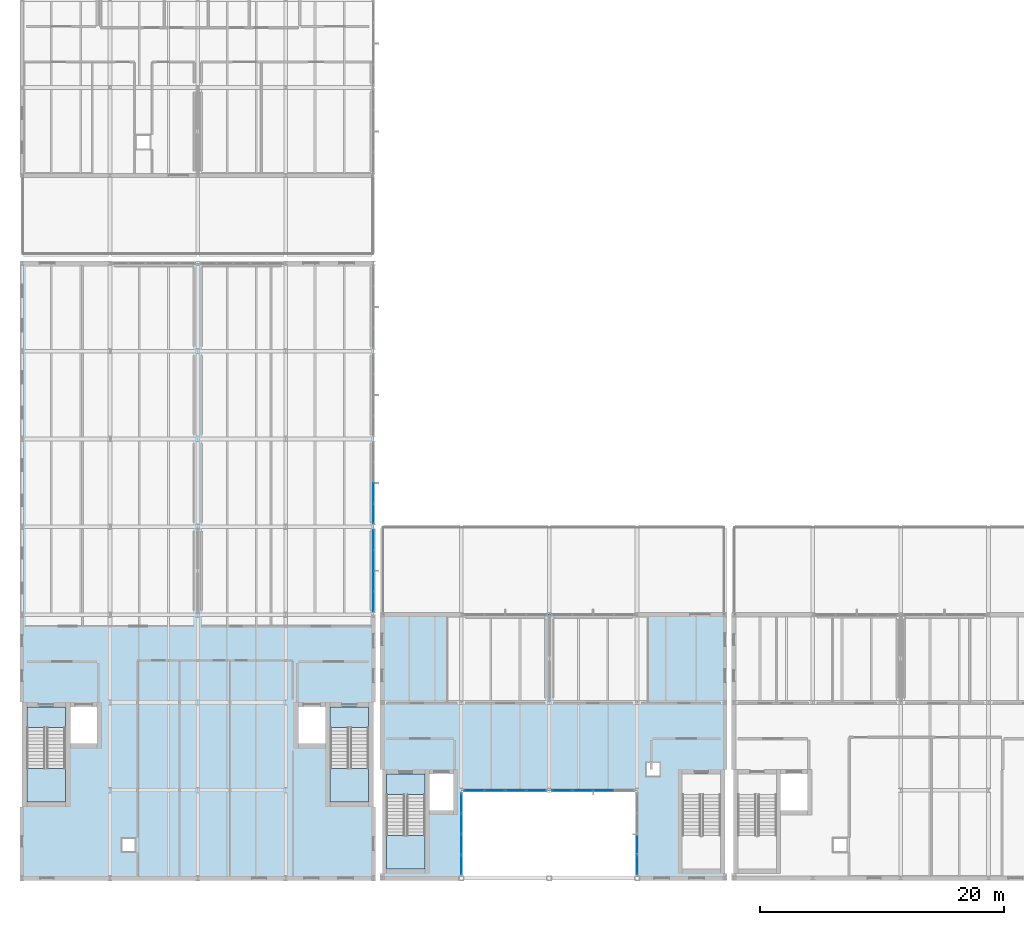
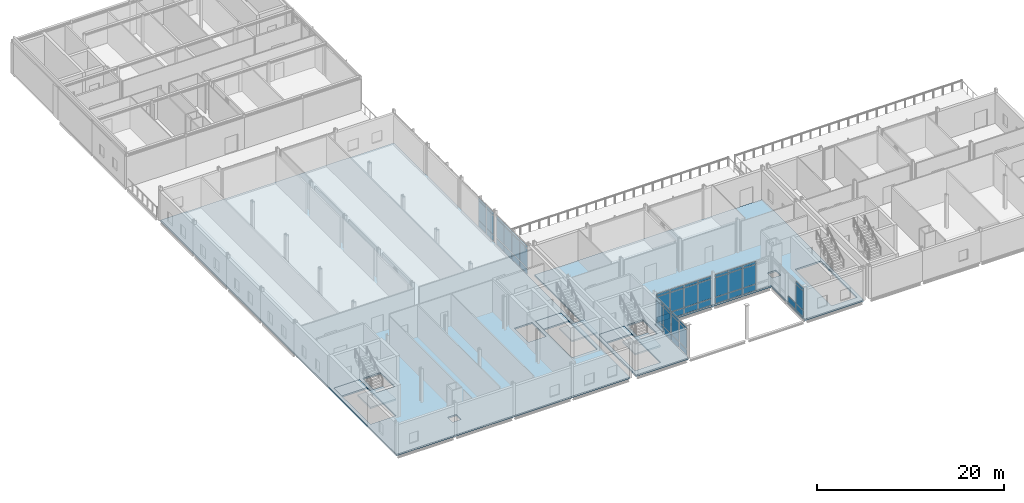
# One storey, part 23 of 53: 55 plates, 8 slabs, 9 elements without a shape of their own.
"""IFC4 building model written with IfcOpenShell, lengths in metres."""

from ifc_helpers import new_model, si_unit, direction, frame, origin, origin_2d, place, context, subcontext, project, spatial, polyline, rectangle, outline, extrude, material, layer, layer_set, type_object, element, aggregate, save


model = new_model("IFC4")

# Units and contexts
model_context = context("Model", 3, precision=1e-05, world=origin(), true_north=direction((0.0, 1.0)))
body_context = subcontext(model_context, "Body", "Model", "MODEL_VIEW")
ifc_project = project(units=[si_unit("LENGTHUNIT", "METRE"), si_unit("AREAUNIT", "SQUARE_METRE"), si_unit("VOLUMEUNIT", "CUBIC_METRE"), si_unit("PLANEANGLEUNIT", "RADIAN"), si_unit("MASSUNIT", "GRAM", prefix="KILO")], contexts=[model_context])

# Site, building, storey
site_placement = place(None, origin())
site = spatial("IfcSite", under=ifc_project, at=site_placement, CompositionType="ELEMENT")
building_placement = place(site_placement, origin())
building = spatial("IfcBuilding", under=site, at=building_placement, Name="Zarrinpeak Specialist Clinic", CompositionType="ELEMENT")
storey_placement = place(building_placement, frame((0.0, 0.0, 14.0)))
storey = spatial("IfcBuildingStorey", under=building, at=storey_placement, Name="L03", CompositionType="ELEMENT", Elevation=14.0)

# Curtain wall, plates
ifc_material_1 = material(Name="Anodised Aluminium Alloy 6063-T6", Category="aluminium")
ifc_layer_1 = layer(ifc_material_1, 0.179931640625)
ifc_layer_set_1 = layer_set([ifc_layer_1], Name="Anodised Aluminium Alloy 6063-T6")
curtain_wall_type_1 = type_object("IfcCurtainWallType", Name="CW-COURT", PredefinedType="NOTDEFINED", material=ifc_layer_set_1)
curtain_wall_1_placement = place(storey_placement, origin())
curtain_wall_1 = element("IfcCurtainWall", 1, at=curtain_wall_1_placement, inside=storey, type_object=curtain_wall_type_1, Name="L03 V1 Unitised Curtain Wall CW-L03-V1-021", PredefinedType="NOTDEFINED")
ifc_material_2 = material(Name="Double Low-E Insulated Glazing", Category="glass")
ifc_layer_2 = layer(ifc_material_2, 0.028076171875)
ifc_layer_set_2 = layer_set([ifc_layer_2], Name="Double Low-E Insulated Glazing")
plate_type = type_object("IfcPlateType", Name="CWP-GLZ28", PredefinedType="CURTAIN_PANEL", material=ifc_layer_set_2)
plate_1_placement = place(storey_placement, frame((28.800048828125, 22.6875, 0.074951171875), z_axis=(0.0, 0.0, 1.0), x_axis=(0.0, 1.0, 0.0)))
plate_1 = element("IfcPlate", 2, at=plate_1_placement, type_object=plate_type, Name="CW-01 panel 1.1", PredefinedType="CURTAIN_PANEL", context=body_context, shape_type="SweptSolid", body=[
    extrude(rectangle(XDim=1.574951171875, YDim=0.028076171875, at=origin_2d()), origin(), (0.0, 0.0, 1.0), 0.78759765625),
])
plate_2_placement = place(storey_placement, frame((28.800048828125, 22.6875, 0.9375), z_axis=(0.0, 0.0, 1.0), x_axis=(0.0, 1.0, 0.0)))
plate_2 = element("IfcPlate", 3, at=plate_2_placement, type_object=plate_type, Name="CW-01 panel 1.2", PredefinedType="CURTAIN_PANEL", context=body_context, shape_type="SweptSolid", body=[
    extrude(rectangle(XDim=1.574951171875, YDim=0.028076171875, at=origin_2d()), origin(), (0.0, 0.0, 1.0), 2.4599609375),
])
plate_3_placement = place(storey_placement, frame((28.800048828125, 22.6875, 3.47265625), z_axis=(0.0, 0.0, 1.0), x_axis=(0.0, 1.0, 0.0)))
plate_3 = element("IfcPlate", 4, at=plate_3_placement, type_object=plate_type, Name="CW-01 panel 1.3", PredefinedType="CURTAIN_PANEL", context=body_context, shape_type="SweptSolid", body=[
    extrude(rectangle(XDim=1.574951171875, YDim=0.028076171875, at=origin_2d()), origin(), (0.0, 0.0, 1.0), 0.33740234375),
])
plate_4_placement = place(storey_placement, frame((28.800048828125, 24.356201171875, 0.074951171875), z_axis=(0.0, 0.0, 1.0), x_axis=(0.0, 1.0, 0.0)))
plate_4 = element("IfcPlate", 5, at=plate_4_placement, type_object=plate_type, Name="CW-01 panel 2.1", PredefinedType="CURTAIN_PANEL", context=body_context, shape_type="SweptSolid", body=[
    extrude(rectangle(XDim=1.612548828125, YDim=0.028076171875, at=origin_2d()), origin(), (0.0, 0.0, 1.0), 0.78759765625),
])
plate_5_placement = place(storey_placement, frame((28.800048828125, 24.356201171875, 0.9375), z_axis=(0.0, 0.0, 1.0), x_axis=(0.0, 1.0, 0.0)))
plate_5 = element("IfcPlate", 6, at=plate_5_placement, type_object=plate_type, Name="CW-01 panel 2.2", PredefinedType="CURTAIN_PANEL", context=body_context, shape_type="SweptSolid", body=[
    extrude(rectangle(XDim=1.612548828125, YDim=0.028076171875, at=origin_2d()), origin(), (0.0, 0.0, 1.0), 2.4599609375),
])
plate_6_placement = place(storey_placement, frame((28.800048828125, 24.356201171875, 3.47265625), z_axis=(0.0, 0.0, 1.0), x_axis=(0.0, 1.0, 0.0)))
plate_6 = element("IfcPlate", 7, at=plate_6_placement, type_object=plate_type, Name="CW-01 panel 2.3", PredefinedType="CURTAIN_PANEL", context=body_context, shape_type="SweptSolid", body=[
    extrude(rectangle(XDim=1.612548828125, YDim=0.028076171875, at=origin_2d()), origin(), (0.0, 0.0, 1.0), 0.33740234375),
])
plate_7_placement = place(storey_placement, frame((28.800048828125, 26.043701171875, 0.074951171875), z_axis=(0.0, 0.0, 1.0), x_axis=(0.0, 1.0, 0.0)))
plate_7 = element("IfcPlate", 8, at=plate_7_placement, type_object=plate_type, Name="CW-01 panel 3.1", PredefinedType="CURTAIN_PANEL", context=body_context, shape_type="SweptSolid", body=[
    extrude(rectangle(XDim=1.612548828125, YDim=0.028076171875, at=origin_2d()), origin(), (0.0, 0.0, 1.0), 0.78759765625),
])
plate_8_placement = place(storey_placement, frame((28.800048828125, 26.043701171875, 0.9375), z_axis=(0.0, 0.0, 1.0), x_axis=(0.0, 1.0, 0.0)))
plate_8 = element("IfcPlate", 9, at=plate_8_placement, type_object=plate_type, Name="CW-01 panel 3.2", PredefinedType="CURTAIN_PANEL", context=body_context, shape_type="SweptSolid", body=[
    extrude(rectangle(XDim=1.612548828125, YDim=0.028076171875, at=origin_2d()), origin(), (0.0, 0.0, 1.0), 2.4599609375),
])
plate_9_placement = place(storey_placement, frame((28.800048828125, 26.043701171875, 3.47265625), z_axis=(0.0, 0.0, 1.0), x_axis=(0.0, 1.0, 0.0)))
plate_9 = element("IfcPlate", 10, at=plate_9_placement, type_object=plate_type, Name="CW-01 panel 3.3", PredefinedType="CURTAIN_PANEL", context=body_context, shape_type="SweptSolid", body=[
    extrude(rectangle(XDim=1.612548828125, YDim=0.028076171875, at=origin_2d()), origin(), (0.0, 0.0, 1.0), 0.33740234375),
])
plate_10_placement = place(storey_placement, frame((28.800048828125, 27.71240234375, 0.074951171875), z_axis=(0.0, 0.0, 1.0), x_axis=(0.0, 1.0, 0.0)))
plate_10 = element("IfcPlate", 11, at=plate_10_placement, type_object=plate_type, Name="CW-01 panel 4.1", PredefinedType="CURTAIN_PANEL", context=body_context, shape_type="SweptSolid", body=[
    extrude(rectangle(XDim=1.574951171875, YDim=0.028076171875, at=origin_2d()), origin(), (0.0, 0.0, 1.0), 0.78759765625),
])
plate_11_placement = place(storey_placement, frame((28.800048828125, 27.71240234375, 0.9375), z_axis=(0.0, 0.0, 1.0), x_axis=(0.0, 1.0, 0.0)))
plate_11 = element("IfcPlate", 12, at=plate_11_placement, type_object=plate_type, Name="CW-01 panel 4.2", PredefinedType="CURTAIN_PANEL", context=body_context, shape_type="SweptSolid", body=[
    extrude(rectangle(XDim=1.574951171875, YDim=0.028076171875, at=origin_2d()), origin(), (0.0, 0.0, 1.0), 2.4599609375),
])
plate_12_placement = place(storey_placement, frame((28.800048828125, 27.71240234375, 3.47265625), z_axis=(0.0, 0.0, 1.0), x_axis=(0.0, 1.0, 0.0)))
plate_12 = element("IfcPlate", 13, at=plate_12_placement, type_object=plate_type, Name="CW-01 panel 4.3", PredefinedType="CURTAIN_PANEL", context=body_context, shape_type="SweptSolid", body=[
    extrude(rectangle(XDim=1.574951171875, YDim=0.028076171875, at=origin_2d()), origin(), (0.0, 0.0, 1.0), 0.33740234375),
])
aggregate(curtain_wall_1, [plate_1, plate_2, plate_3, plate_4, plate_5, plate_6, plate_7, plate_8, plate_9, plate_10, plate_11, plate_12])

curtain_wall_2_placement = place(storey_placement, origin())
curtain_wall_2 = element("IfcCurtainWall", 14, at=curtain_wall_2_placement, inside=storey, type_object=curtain_wall_type_1, Name="L03 V1 Unitised Curtain Wall CW-L03-V1-022", PredefinedType="NOTDEFINED")
plate_13_placement = place(storey_placement, frame((28.800048828125, 29.887451171875, 0.074951171875), z_axis=(0.0, 0.0, 1.0), x_axis=(0.0, 1.0, 0.0)))
plate_13 = element("IfcPlate", 15, at=plate_13_placement, type_object=plate_type, Name="CW-01 panel 1.1", PredefinedType="CURTAIN_PANEL", context=body_context, shape_type="SweptSolid", body=[
    extrude(rectangle(XDim=1.574951171875, YDim=0.028076171875, at=origin_2d()), origin(), (0.0, 0.0, 1.0), 0.78759765625),
])
plate_14_placement = place(storey_placement, frame((28.800048828125, 29.887451171875, 0.9375), z_axis=(0.0, 0.0, 1.0), x_axis=(0.0, 1.0, 0.0)))
plate_14 = element("IfcPlate", 16, at=plate_14_placement, type_object=plate_type, Name="CW-01 panel 1.2", PredefinedType="CURTAIN_PANEL", context=body_context, shape_type="SweptSolid", body=[
    extrude(rectangle(XDim=1.574951171875, YDim=0.028076171875, at=origin_2d()), origin(), (0.0, 0.0, 1.0), 2.4599609375),
])
plate_15_placement = place(storey_placement, frame((28.800048828125, 29.887451171875, 3.47265625), z_axis=(0.0, 0.0, 1.0), x_axis=(0.0, 1.0, 0.0)))
plate_15 = element("IfcPlate", 17, at=plate_15_placement, type_object=plate_type, Name="CW-01 panel 1.3", PredefinedType="CURTAIN_PANEL", context=body_context, shape_type="SweptSolid", body=[
    extrude(rectangle(XDim=1.574951171875, YDim=0.028076171875, at=origin_2d()), origin(), (0.0, 0.0, 1.0), 0.33740234375),
])
plate_16_placement = place(storey_placement, frame((28.800048828125, 31.55615234375, 0.074951171875), z_axis=(0.0, 0.0, 1.0), x_axis=(0.0, 1.0, 0.0)))
plate_16 = element("IfcPlate", 18, at=plate_16_placement, type_object=plate_type, Name="CW-01 panel 2.1", PredefinedType="CURTAIN_PANEL", context=body_context, shape_type="SweptSolid", body=[
    extrude(rectangle(XDim=1.612548828125, YDim=0.028076171875, at=origin_2d()), origin(), (0.0, 0.0, 1.0), 0.78759765625),
])
plate_17_placement = place(storey_placement, frame((28.800048828125, 31.55615234375, 0.9375), z_axis=(0.0, 0.0, 1.0), x_axis=(0.0, 1.0, 0.0)))
plate_17 = element("IfcPlate", 19, at=plate_17_placement, type_object=plate_type, Name="CW-01 panel 2.2", PredefinedType="CURTAIN_PANEL", context=body_context, shape_type="SweptSolid", body=[
    extrude(rectangle(XDim=1.612548828125, YDim=0.028076171875, at=origin_2d()), origin(), (0.0, 0.0, 1.0), 2.4599609375),
])
plate_18_placement = place(storey_placement, frame((28.800048828125, 31.55615234375, 3.47265625), z_axis=(0.0, 0.0, 1.0), x_axis=(0.0, 1.0, 0.0)))
plate_18 = element("IfcPlate", 20, at=plate_18_placement, type_object=plate_type, Name="CW-01 panel 2.3", PredefinedType="CURTAIN_PANEL", context=body_context, shape_type="SweptSolid", body=[
    extrude(rectangle(XDim=1.612548828125, YDim=0.028076171875, at=origin_2d()), origin(), (0.0, 0.0, 1.0), 0.33740234375),
])
aggregate(curtain_wall_2, [plate_13, plate_14, plate_15, plate_16, plate_17, plate_18])

ifc_layer_3 = layer(ifc_material_1, 0.18994140625)
ifc_layer_set_3 = layer_set([ifc_layer_3], Name="Anodised Aluminium Alloy 6063-T6")
curtain_wall_type_2 = type_object("IfcCurtainWallType", Name="CW-LOGGIA", PredefinedType="NOTDEFINED", material=ifc_layer_set_3)
curtain_wall_3_placement = place(storey_placement, origin())
curtain_wall_3 = element("IfcCurtainWall", 21, at=curtain_wall_3_placement, inside=storey, type_object=curtain_wall_type_2, Name="L03 V2 Unitised Curtain Wall CW-L03-V2-057", PredefinedType="NOTDEFINED")
plate_19_placement = place(storey_placement, frame((37.0537109375, 7.199951171875, 0.08984375), z_axis=(0.0, 0.0, 1.0), x_axis=(1.0, 0.0, 0.0)))
plate_19 = element("IfcPlate", 22, at=plate_19_placement, type_object=plate_type, Name="CW-04 panel 1.1", PredefinedType="CURTAIN_PANEL", context=body_context, shape_type="SweptSolid", body=[
    extrude(rectangle(XDim=1.577392578125, YDim=0.028076171875, at=origin_2d()), origin(), (0.0, 0.0, 1.0), 0.764892578125),
])
plate_20_placement = place(storey_placement, frame((37.0537109375, 7.199951171875, 0.94482421875), z_axis=(0.0, 0.0, 1.0), x_axis=(1.0, 0.0, 0.0)))
plate_20 = element("IfcPlate", 23, at=plate_20_placement, type_object=plate_type, Name="CW-04 panel 1.2", PredefinedType="CURTAIN_PANEL", context=body_context, shape_type="SweptSolid", body=[
    extrude(rectangle(XDim=1.577392578125, YDim=0.028076171875, at=origin_2d()), origin(), (0.0, 0.0, 1.0), 2.4951171875),
])
plate_21_placement = place(storey_placement, frame((37.0537109375, 7.199951171875, 3.530029296875), z_axis=(0.0, 0.0, 1.0), x_axis=(1.0, 0.0, 0.0)))
plate_21 = element("IfcPlate", 24, at=plate_21_placement, type_object=plate_type, Name="CW-04 panel 1.3", PredefinedType="CURTAIN_PANEL", context=body_context, shape_type="SweptSolid", body=[
    extrude(rectangle(XDim=1.577392578125, YDim=0.028076171875, at=origin_2d()), origin(), (0.0, 0.0, 1.0), 0.31494140625),
])
plate_22_placement = place(storey_placement, frame((38.74365234375, 7.199951171875, 0.08984375), z_axis=(0.0, 0.0, 1.0), x_axis=(1.0, 0.0, 0.0)))
plate_22 = element("IfcPlate", 25, at=plate_22_placement, type_object=plate_type, Name="CW-04 panel 2.1", PredefinedType="CURTAIN_PANEL", context=body_context, shape_type="SweptSolid", body=[
    extrude(rectangle(XDim=1.62255859375, YDim=0.028076171875, at=origin_2d()), origin(), (0.0, 0.0, 1.0), 0.764892578125),
])
plate_23_placement = place(storey_placement, frame((38.74365234375, 7.199951171875, 0.94482421875), z_axis=(0.0, 0.0, 1.0), x_axis=(1.0, 0.0, 0.0)))
plate_23 = element("IfcPlate", 26, at=plate_23_placement, type_object=plate_type, Name="CW-04 panel 2.2", PredefinedType="CURTAIN_PANEL", context=body_context, shape_type="SweptSolid", body=[
    extrude(rectangle(XDim=1.62255859375, YDim=0.028076171875, at=origin_2d()), origin(), (0.0, 0.0, 1.0), 2.4951171875),
])
plate_24_placement = place(storey_placement, frame((38.74365234375, 7.199951171875, 3.530029296875), z_axis=(0.0, 0.0, 1.0), x_axis=(1.0, 0.0, 0.0)))
plate_24 = element("IfcPlate", 27, at=plate_24_placement, type_object=plate_type, Name="CW-04 panel 2.3", PredefinedType="CURTAIN_PANEL", context=body_context, shape_type="SweptSolid", body=[
    extrude(rectangle(XDim=1.62255859375, YDim=0.028076171875, at=origin_2d()), origin(), (0.0, 0.0, 1.0), 0.31494140625),
])
plate_25_placement = place(storey_placement, frame((40.456298828125, 7.199951171875, 0.08984375), z_axis=(0.0, 0.0, 1.0), x_axis=(1.0, 0.0, 0.0)))
plate_25 = element("IfcPlate", 28, at=plate_25_placement, type_object=plate_type, Name="CW-04 panel 3.1", PredefinedType="CURTAIN_PANEL", context=body_context, shape_type="SweptSolid", body=[
    extrude(rectangle(XDim=1.62255859375, YDim=0.028076171875, at=origin_2d()), origin(), (0.0, 0.0, 1.0), 0.764892578125),
])
plate_26_placement = place(storey_placement, frame((40.456298828125, 7.199951171875, 0.94482421875), z_axis=(0.0, 0.0, 1.0), x_axis=(1.0, 0.0, 0.0)))
plate_26 = element("IfcPlate", 29, at=plate_26_placement, type_object=plate_type, Name="CW-04 panel 3.2", PredefinedType="CURTAIN_PANEL", context=body_context, shape_type="SweptSolid", body=[
    extrude(rectangle(XDim=1.62255859375, YDim=0.028076171875, at=origin_2d()), origin(), (0.0, 0.0, 1.0), 2.4951171875),
])
plate_27_placement = place(storey_placement, frame((40.456298828125, 7.199951171875, 3.530029296875), z_axis=(0.0, 0.0, 1.0), x_axis=(1.0, 0.0, 0.0)))
plate_27 = element("IfcPlate", 30, at=plate_27_placement, type_object=plate_type, Name="CW-04 panel 3.3", PredefinedType="CURTAIN_PANEL", context=body_context, shape_type="SweptSolid", body=[
    extrude(rectangle(XDim=1.62255859375, YDim=0.028076171875, at=origin_2d()), origin(), (0.0, 0.0, 1.0), 0.31494140625),
])
plate_28_placement = place(storey_placement, frame((42.146240234375, 7.199951171875, 0.08984375), z_axis=(0.0, 0.0, 1.0), x_axis=(1.0, 0.0, 0.0)))
plate_28 = element("IfcPlate", 31, at=plate_28_placement, type_object=plate_type, Name="CW-04 panel 4.1", PredefinedType="CURTAIN_PANEL", context=body_context, shape_type="SweptSolid", body=[
    extrude(rectangle(XDim=1.577392578125, YDim=0.028076171875, at=origin_2d()), origin(), (0.0, 0.0, 1.0), 0.764892578125),
])
plate_29_placement = place(storey_placement, frame((42.146240234375, 7.199951171875, 0.94482421875), z_axis=(0.0, 0.0, 1.0), x_axis=(1.0, 0.0, 0.0)))
plate_29 = element("IfcPlate", 32, at=plate_29_placement, type_object=plate_type, Name="CW-04 panel 4.2", PredefinedType="CURTAIN_PANEL", context=body_context, shape_type="SweptSolid", body=[
    extrude(rectangle(XDim=1.577392578125, YDim=0.028076171875, at=origin_2d()), origin(), (0.0, 0.0, 1.0), 2.4951171875),
])
plate_30_placement = place(storey_placement, frame((42.146240234375, 7.199951171875, 3.530029296875), z_axis=(0.0, 0.0, 1.0), x_axis=(1.0, 0.0, 0.0)))
plate_30 = element("IfcPlate", 33, at=plate_30_placement, type_object=plate_type, Name="CW-04 panel 4.3", PredefinedType="CURTAIN_PANEL", context=body_context, shape_type="SweptSolid", body=[
    extrude(rectangle(XDim=1.577392578125, YDim=0.028076171875, at=origin_2d()), origin(), (0.0, 0.0, 1.0), 0.31494140625),
])
aggregate(curtain_wall_3, [plate_19, plate_20, plate_21, plate_22, plate_23, plate_24, plate_25, plate_26, plate_27, plate_28, plate_29, plate_30])

curtain_wall_4_placement = place(storey_placement, origin())
curtain_wall_4 = element("IfcCurtainWall", 34, at=curtain_wall_4_placement, inside=storey, type_object=curtain_wall_type_2, Name="L03 V2 Unitised Curtain Wall CW-L03-V2-058", PredefinedType="NOTDEFINED")
plate_31_placement = place(storey_placement, frame((44.253662109375, 7.199951171875, 0.08984375), z_axis=(0.0, 0.0, 1.0), x_axis=(1.0, 0.0, 0.0)))
plate_31 = element("IfcPlate", 35, at=plate_31_placement, type_object=plate_type, Name="CW-04 panel 1.1", PredefinedType="CURTAIN_PANEL", context=body_context, shape_type="SweptSolid", body=[
    extrude(rectangle(XDim=1.577392578125, YDim=0.028076171875, at=origin_2d()), origin(), (0.0, 0.0, 1.0), 0.764892578125),
])
plate_32_placement = place(storey_placement, frame((44.253662109375, 7.199951171875, 0.94482421875), z_axis=(0.0, 0.0, 1.0), x_axis=(1.0, 0.0, 0.0)))
plate_32 = element("IfcPlate", 36, at=plate_32_placement, type_object=plate_type, Name="CW-04 panel 1.2", PredefinedType="CURTAIN_PANEL", context=body_context, shape_type="SweptSolid", body=[
    extrude(rectangle(XDim=1.577392578125, YDim=0.028076171875, at=origin_2d()), origin(), (0.0, 0.0, 1.0), 2.4951171875),
])
plate_33_placement = place(storey_placement, frame((44.253662109375, 7.199951171875, 3.530029296875), z_axis=(0.0, 0.0, 1.0), x_axis=(1.0, 0.0, 0.0)))
plate_33 = element("IfcPlate", 37, at=plate_33_placement, type_object=plate_type, Name="CW-04 panel 1.3", PredefinedType="CURTAIN_PANEL", context=body_context, shape_type="SweptSolid", body=[
    extrude(rectangle(XDim=1.577392578125, YDim=0.028076171875, at=origin_2d()), origin(), (0.0, 0.0, 1.0), 0.31494140625),
])
plate_34_placement = place(storey_placement, frame((45.94384765625, 7.199951171875, 0.08984375), z_axis=(0.0, 0.0, 1.0), x_axis=(1.0, 0.0, 0.0)))
plate_34 = element("IfcPlate", 38, at=plate_34_placement, type_object=plate_type, Name="CW-04 panel 2.1", PredefinedType="CURTAIN_PANEL", context=body_context, shape_type="SweptSolid", body=[
    extrude(rectangle(XDim=1.62255859375, YDim=0.028076171875, at=origin_2d()), origin(), (0.0, 0.0, 1.0), 0.764892578125),
])
plate_35_placement = place(storey_placement, frame((45.94384765625, 7.199951171875, 0.94482421875), z_axis=(0.0, 0.0, 1.0), x_axis=(1.0, 0.0, 0.0)))
plate_35 = element("IfcPlate", 39, at=plate_35_placement, type_object=plate_type, Name="CW-04 panel 2.2", PredefinedType="CURTAIN_PANEL", context=body_context, shape_type="SweptSolid", body=[
    extrude(rectangle(XDim=1.62255859375, YDim=0.028076171875, at=origin_2d()), origin(), (0.0, 0.0, 1.0), 2.4951171875),
])
plate_36_placement = place(storey_placement, frame((45.94384765625, 7.199951171875, 3.530029296875), z_axis=(0.0, 0.0, 1.0), x_axis=(1.0, 0.0, 0.0)))
plate_36 = element("IfcPlate", 40, at=plate_36_placement, type_object=plate_type, Name="CW-04 panel 2.3", PredefinedType="CURTAIN_PANEL", context=body_context, shape_type="SweptSolid", body=[
    extrude(rectangle(XDim=1.62255859375, YDim=0.028076171875, at=origin_2d()), origin(), (0.0, 0.0, 1.0), 0.31494140625),
])
plate_37_placement = place(storey_placement, frame((47.65625, 7.199951171875, 0.08984375), z_axis=(0.0, 0.0, 1.0), x_axis=(1.0, 0.0, 0.0)))
plate_37 = element("IfcPlate", 41, at=plate_37_placement, type_object=plate_type, Name="CW-04 panel 3.1", PredefinedType="CURTAIN_PANEL", context=body_context, shape_type="SweptSolid", body=[
    extrude(rectangle(XDim=1.62255859375, YDim=0.028076171875, at=origin_2d()), origin(), (0.0, 0.0, 1.0), 0.764892578125),
])
plate_38_placement = place(storey_placement, frame((47.65625, 7.199951171875, 0.94482421875), z_axis=(0.0, 0.0, 1.0), x_axis=(1.0, 0.0, 0.0)))
plate_38 = element("IfcPlate", 42, at=plate_38_placement, type_object=plate_type, Name="CW-04 panel 3.2", PredefinedType="CURTAIN_PANEL", context=body_context, shape_type="SweptSolid", body=[
    extrude(rectangle(XDim=1.62255859375, YDim=0.028076171875, at=origin_2d()), origin(), (0.0, 0.0, 1.0), 2.4951171875),
])
plate_39_placement = place(storey_placement, frame((47.65625, 7.199951171875, 3.530029296875), z_axis=(0.0, 0.0, 1.0), x_axis=(1.0, 0.0, 0.0)))
plate_39 = element("IfcPlate", 43, at=plate_39_placement, type_object=plate_type, Name="CW-04 panel 3.3", PredefinedType="CURTAIN_PANEL", context=body_context, shape_type="SweptSolid", body=[
    extrude(rectangle(XDim=1.62255859375, YDim=0.028076171875, at=origin_2d()), origin(), (0.0, 0.0, 1.0), 0.31494140625),
])
aggregate(curtain_wall_4, [plate_31, plate_32, plate_33, plate_34, plate_35, plate_36, plate_37, plate_38, plate_39])

curtain_wall_5_placement = place(storey_placement, origin())
curtain_wall_5 = element("IfcCurtainWall", 44, at=curtain_wall_5_placement, inside=storey, type_object=curtain_wall_type_2, Name="L03 V2 Unitised Curtain Wall CW-L03-V2-059", PredefinedType="NOTDEFINED")
plate_40_placement = place(storey_placement, frame((36.0, 1.09912109375, 0.08984375), z_axis=(0.0, 0.0, 1.0), x_axis=(0.0, 1.0, 0.0)))
plate_40 = element("IfcPlate", 45, at=plate_40_placement, type_object=plate_type, Name="CW-04 panel 1.1", PredefinedType="CURTAIN_PANEL", context=body_context, shape_type="SweptSolid", body=[
    extrude(rectangle(XDim=1.561767578125, YDim=0.028076171875, at=origin_2d()), origin(), (0.0, 0.0, 1.0), 0.764892578125),
])
plate_41_placement = place(storey_placement, frame((36.0, 1.09912109375, 0.94482421875), z_axis=(0.0, 0.0, 1.0), x_axis=(0.0, 1.0, 0.0)))
plate_41 = element("IfcPlate", 46, at=plate_41_placement, type_object=plate_type, Name="CW-04 panel 1.2", PredefinedType="CURTAIN_PANEL", context=body_context, shape_type="SweptSolid", body=[
    extrude(rectangle(XDim=1.561767578125, YDim=0.028076171875, at=origin_2d()), origin(), (0.0, 0.0, 1.0), 2.445068359375),
])
plate_42_placement = place(storey_placement, frame((36.0, 1.09912109375, 3.47998046875), z_axis=(0.0, 0.0, 1.0), x_axis=(0.0, 1.0, 0.0)))
plate_42 = element("IfcPlate", 47, at=plate_42_placement, type_object=plate_type, Name="CW-04 panel 1.3", PredefinedType="CURTAIN_PANEL", context=body_context, shape_type="SweptSolid", body=[
    extrude(rectangle(XDim=1.561767578125, YDim=0.028076171875, at=origin_2d()), origin(), (0.0, 0.0, 1.0), 0.31494140625),
])
plate_43_placement = place(storey_placement, frame((36.0, 2.773193359375, 0.08984375), z_axis=(0.0, 0.0, 1.0), x_axis=(0.0, 1.0, 0.0)))
plate_43 = element("IfcPlate", 48, at=plate_43_placement, type_object=plate_type, Name="CW-04 panel 2.1", PredefinedType="CURTAIN_PANEL", context=body_context, shape_type="SweptSolid", body=[
    extrude(rectangle(XDim=1.606689453125, YDim=0.028076171875, at=origin_2d()), origin(), (0.0, 0.0, 1.0), 0.764892578125),
])
plate_44_placement = place(storey_placement, frame((36.0, 2.773193359375, 0.94482421875), z_axis=(0.0, 0.0, 1.0), x_axis=(0.0, 1.0, 0.0)))
plate_44 = element("IfcPlate", 49, at=plate_44_placement, type_object=plate_type, Name="CW-04 panel 2.2", PredefinedType="CURTAIN_PANEL", context=body_context, shape_type="SweptSolid", body=[
    extrude(rectangle(XDim=1.606689453125, YDim=0.028076171875, at=origin_2d()), origin(), (0.0, 0.0, 1.0), 2.445068359375),
])
plate_45_placement = place(storey_placement, frame((36.0, 2.773193359375, 3.47998046875), z_axis=(0.0, 0.0, 1.0), x_axis=(0.0, 1.0, 0.0)))
plate_45 = element("IfcPlate", 50, at=plate_45_placement, type_object=plate_type, Name="CW-04 panel 2.3", PredefinedType="CURTAIN_PANEL", context=body_context, shape_type="SweptSolid", body=[
    extrude(rectangle(XDim=1.606689453125, YDim=0.028076171875, at=origin_2d()), origin(), (0.0, 0.0, 1.0), 0.31494140625),
])
plate_46_placement = place(storey_placement, frame((36.0, 4.469970703125, 0.08984375), z_axis=(0.0, 0.0, 1.0), x_axis=(0.0, 1.0, 0.0)))
plate_46 = element("IfcPlate", 51, at=plate_46_placement, type_object=plate_type, Name="CW-04 panel 3.1", PredefinedType="CURTAIN_PANEL", context=body_context, shape_type="SweptSolid", body=[
    extrude(rectangle(XDim=1.606689453125, YDim=0.028076171875, at=origin_2d()), origin(), (0.0, 0.0, 1.0), 0.764892578125),
])
plate_47_placement = place(storey_placement, frame((36.0, 4.469970703125, 0.94482421875), z_axis=(0.0, 0.0, 1.0), x_axis=(0.0, 1.0, 0.0)))
plate_47 = element("IfcPlate", 52, at=plate_47_placement, type_object=plate_type, Name="CW-04 panel 3.2", PredefinedType="CURTAIN_PANEL", context=body_context, shape_type="SweptSolid", body=[
    extrude(rectangle(XDim=1.606689453125, YDim=0.028076171875, at=origin_2d()), origin(), (0.0, 0.0, 1.0), 2.445068359375),
])
plate_48_placement = place(storey_placement, frame((36.0, 4.469970703125, 3.47998046875), z_axis=(0.0, 0.0, 1.0), x_axis=(0.0, 1.0, 0.0)))
plate_48 = element("IfcPlate", 53, at=plate_48_placement, type_object=plate_type, Name="CW-04 panel 3.3", PredefinedType="CURTAIN_PANEL", context=body_context, shape_type="SweptSolid", body=[
    extrude(rectangle(XDim=1.606689453125, YDim=0.028076171875, at=origin_2d()), origin(), (0.0, 0.0, 1.0), 0.31494140625),
])
plate_49_placement = place(storey_placement, frame((36.0, 6.14404296875, 0.08984375), z_axis=(0.0, 0.0, 1.0), x_axis=(0.0, 1.0, 0.0)))
plate_49 = element("IfcPlate", 54, at=plate_49_placement, type_object=plate_type, Name="CW-04 panel 4.1", PredefinedType="CURTAIN_PANEL", context=body_context, shape_type="SweptSolid", body=[
    extrude(rectangle(XDim=1.561767578125, YDim=0.028076171875, at=origin_2d()), origin(), (0.0, 0.0, 1.0), 0.764892578125),
])
plate_50_placement = place(storey_placement, frame((36.0, 6.14404296875, 0.94482421875), z_axis=(0.0, 0.0, 1.0), x_axis=(0.0, 1.0, 0.0)))
plate_50 = element("IfcPlate", 55, at=plate_50_placement, type_object=plate_type, Name="CW-04 panel 4.2", PredefinedType="CURTAIN_PANEL", context=body_context, shape_type="SweptSolid", body=[
    extrude(rectangle(XDim=1.561767578125, YDim=0.028076171875, at=origin_2d()), origin(), (0.0, 0.0, 1.0), 2.445068359375),
])
plate_51_placement = place(storey_placement, frame((36.0, 6.14404296875, 3.47998046875), z_axis=(0.0, 0.0, 1.0), x_axis=(0.0, 1.0, 0.0)))
plate_51 = element("IfcPlate", 56, at=plate_51_placement, type_object=plate_type, Name="CW-04 panel 4.3", PredefinedType="CURTAIN_PANEL", context=body_context, shape_type="SweptSolid", body=[
    extrude(rectangle(XDim=1.561767578125, YDim=0.028076171875, at=origin_2d()), origin(), (0.0, 0.0, 1.0), 0.31494140625),
])
aggregate(curtain_wall_5, [plate_40, plate_41, plate_42, plate_43, plate_44, plate_45, plate_46, plate_47, plate_48, plate_49, plate_50, plate_51])

curtain_wall_6_placement = place(storey_placement, origin())
curtain_wall_6 = element("IfcCurtainWall", 57, at=curtain_wall_6_placement, inside=storey, type_object=curtain_wall_type_2, Name="L03 V2 Unitised Curtain Wall CW-L03-V2-060", PredefinedType="NOTDEFINED")
plate_52_placement = place(storey_placement, frame((50.39990234375, 2.773193359375, 0.08984375), z_axis=(0.0, 0.0, 1.0), x_axis=(0.0, -1.0, 0.0)))
plate_52 = element("IfcPlate", 58, at=plate_52_placement, type_object=plate_type, Name="CW-04 panel 3.1", PredefinedType="CURTAIN_PANEL", context=body_context, shape_type="SweptSolid", body=[
    extrude(rectangle(XDim=1.606689453125, YDim=0.028076171875, at=origin_2d()), origin(), (0.0, 0.0, 1.0), 0.764892578125),
])
plate_53_placement = place(storey_placement, frame((50.39990234375, 1.09912109375, 0.08984375), z_axis=(0.0, 0.0, 1.0), x_axis=(0.0, -1.0, 0.0)))
plate_53 = element("IfcPlate", 59, at=plate_53_placement, type_object=plate_type, Name="CW-04 panel 4.1", PredefinedType="CURTAIN_PANEL", context=body_context, shape_type="SweptSolid", body=[
    extrude(rectangle(XDim=1.561767578125, YDim=0.028076171875, at=origin_2d()), origin(), (0.0, 0.0, 1.0), 0.764892578125),
])
plate_54_placement = place(storey_placement, frame((50.39990234375, 1.09912109375, 0.94482421875), z_axis=(0.0, 0.0, 1.0), x_axis=(0.0, -1.0, 0.0)))
plate_54 = element("IfcPlate", 60, at=plate_54_placement, type_object=plate_type, Name="CW-04 panel 4.2", PredefinedType="CURTAIN_PANEL", context=body_context, shape_type="SweptSolid", body=[
    extrude(rectangle(XDim=1.561767578125, YDim=0.028076171875, at=origin_2d()), origin(), (0.0, 0.0, 1.0), 2.445068359375),
])
plate_55_placement = place(storey_placement, frame((50.39990234375, 1.09912109375, 3.47998046875), z_axis=(0.0, 0.0, 1.0), x_axis=(0.0, -1.0, 0.0)))
plate_55 = element("IfcPlate", 61, at=plate_55_placement, type_object=plate_type, Name="CW-04 panel 4.3", PredefinedType="CURTAIN_PANEL", context=body_context, shape_type="SweptSolid", body=[
    extrude(rectangle(XDim=1.561767578125, YDim=0.028076171875, at=origin_2d()), origin(), (0.0, 0.0, 1.0), 0.31494140625),
])
aggregate(curtain_wall_6, [plate_52, plate_53, plate_54, plate_55])

# Slabs
ifc_material_3 = material(Name="Concrete C35/45", Category="concrete")
ifc_layer_4 = layer(ifc_material_3, 0.199951171875)
ifc_layer_set_4 = layer_set([ifc_layer_4], Name="Concrete C35/45")
slab_type_1 = type_object("IfcSlabType", Name="SL-FLR200", PredefinedType="FLOOR", material=ifc_layer_set_4)
slab_1_placement = place(storey_placement, frame((0.0, 0.0, -0.199951171875)))
element("IfcSlab", 62, at=slab_1_placement, inside=storey, type_object=slab_type_1, Name="L03 Suspended Clinical Floor Slab V1", PredefinedType="FLOOR", context=body_context, shape_type="SweptSolid", body=[
    extrude(outline(polyline([(0.0, 0.0), (28.800048828125, 0.0), (28.800048828125, 50.39990234375), (0.0, 50.39990234375), (0.0, 0.0)]), holes=[polyline([(0.39990234375, 6.25), (3.550048828125, 6.25), (3.550048828125, 14.050048828125), (0.39990234375, 14.050048828125), (0.39990234375, 6.25)]), polyline([(3.949951171875, 11.050048828125), (6.14990234375, 11.050048828125), (6.14990234375, 14.050048828125), (3.949951171875, 14.050048828125), (3.949951171875, 11.050048828125)]), polyline([(25.25, 6.25), (28.39990234375, 6.25), (28.39990234375, 14.050048828125), (25.25, 14.050048828125), (25.25, 6.25)]), polyline([(22.64990234375, 11.050048828125), (24.85009765625, 11.050048828125), (24.85009765625, 14.050048828125), (22.64990234375, 14.050048828125), (22.64990234375, 11.050048828125)]), polyline([(8.199951171875, 2.199951171875), (9.25, 2.199951171875), (9.25, 3.25), (8.199951171875, 3.25), (8.199951171875, 2.199951171875)])]), origin(), (0.0, 0.0, 1.0), 0.199951171875),
])
slab_2_placement = place(storey_placement, frame((0.0, 0.0, -0.199951171875)))
element("IfcSlab", 63, at=slab_2_placement, inside=storey, type_object=slab_type_1, Name="L03 Core C01 Stairwell Floor Landing Slab", PredefinedType="FLOOR", context=body_context, shape_type="SweptSolid", body=[
    extrude(outline(polyline([(0.39990234375, 12.35009765625), (3.550048828125, 12.35009765625), (3.550048828125, 14.050048828125), (0.39990234375, 14.050048828125), (0.39990234375, 12.35009765625)])), origin(), (0.0, 0.0, 1.0), 0.199951171875),
])
slab_3_placement = place(storey_placement, frame((0.0, 0.0, -0.199951171875)))
element("IfcSlab", 64, at=slab_3_placement, inside=storey, type_object=slab_type_1, Name="L03 Core C02 Stairwell Floor Landing Slab", PredefinedType="FLOOR", context=body_context, shape_type="SweptSolid", body=[
    extrude(outline(polyline([(25.25, 12.35009765625), (28.39990234375, 12.35009765625), (28.39990234375, 14.050048828125), (25.25, 14.050048828125), (25.25, 12.35009765625)])), origin(), (0.0, 0.0, 1.0), 0.199951171875),
])
slab_4_placement = place(storey_placement, frame((0.0, 0.0, -0.199951171875)))
element("IfcSlab", 65, at=slab_4_placement, inside=storey, type_object=slab_type_1, Name="L03 Suspended Clinical Floor Slab V2", PredefinedType="FLOOR", context=body_context, shape_type="SweptSolid", body=[
    extrude(outline(polyline([(29.52001953125, 0.0), (36.0, 0.0), (36.0, 7.199951171875), (50.39990234375, 7.199951171875), (50.39990234375, 0.0), (57.60009765625, 0.0), (57.60009765625, 21.60009765625), (29.52001953125, 21.60009765625), (29.52001953125, 0.0)]), holes=[polyline([(29.8701171875, 0.75), (33.02001953125, 0.75), (33.02001953125, 8.550048828125), (29.8701171875, 8.550048828125), (29.8701171875, 0.75)]), polyline([(33.3701171875, 5.550048828125), (35.3701171875, 5.550048828125), (35.3701171875, 8.550048828125), (33.3701171875, 8.550048828125), (33.3701171875, 5.550048828125)]), polyline([(54.10009765625, 0.75), (57.25, 0.75), (57.25, 8.550048828125), (54.10009765625, 8.550048828125), (54.10009765625, 0.75)]), polyline([(51.199951171875, 8.39990234375), (52.25, 8.39990234375), (52.25, 9.449951171875), (51.199951171875, 9.449951171875), (51.199951171875, 8.39990234375)])]), origin(), (0.0, 0.0, 1.0), 0.199951171875),
])
slab_5_placement = place(storey_placement, frame((0.0, 0.0, -0.199951171875)))
element("IfcSlab", 66, at=slab_5_placement, inside=storey, type_object=slab_type_1, Name="L03 Core C03 Stairwell Floor Landing Slab", PredefinedType="FLOOR", context=body_context, shape_type="SweptSolid", body=[
    extrude(outline(polyline([(29.8701171875, 6.85009765625), (33.02001953125, 6.85009765625), (33.02001953125, 8.550048828125), (29.8701171875, 8.550048828125), (29.8701171875, 6.85009765625)])), origin(), (0.0, 0.0, 1.0), 0.199951171875),
])

# Stair, slab
stair_type = type_object("IfcStairType", Name="ST-DOG", PredefinedType="HALF_TURN_STAIR", material=ifc_material_3)
stair_1_placement = place(storey_placement, origin())
stair_1 = element("IfcStair", 67, at=stair_1_placement, inside=storey, type_object=stair_type, Name="L03 Protected Exit Stair ST-01", PredefinedType="HALF_TURN_STAIR")
ifc_layer_5 = layer(ifc_material_3, 0.199951171875)
ifc_layer_set_5 = layer_set([ifc_layer_5], Name="Concrete C35/45")
slab_type_2 = type_object("IfcSlabType", Name="SL-LAND200", PredefinedType="LANDING", material=ifc_layer_set_5)
slab_6_placement = place(storey_placement, frame((0.0, 0.0, 2.0)))
slab_6 = element("IfcSlab", 68, at=slab_6_placement, type_object=slab_type_2, Name="ST-01 landing 1", PredefinedType="LANDING", context=body_context, shape_type="SweptSolid", body=[
    extrude(outline(polyline([(0.39990234375, 8.989990234375), (0.39990234375, 6.25), (3.550048828125, 6.25), (3.550048828125, 8.989990234375), (0.39990234375, 8.989990234375)])), origin(), (0.0, 0.0, 1.0), 0.199951171875),
])
aggregate(stair_1, [slab_6])

stair_2_placement = place(storey_placement, origin())
stair_2 = element("IfcStair", 69, at=stair_2_placement, inside=storey, type_object=stair_type, Name="L03 Protected Exit Stair ST-02", PredefinedType="HALF_TURN_STAIR")
slab_7_placement = place(storey_placement, frame((0.0, 0.0, 2.0)))
slab_7 = element("IfcSlab", 70, at=slab_7_placement, type_object=slab_type_2, Name="ST-02 landing 1", PredefinedType="LANDING", context=body_context, shape_type="SweptSolid", body=[
    extrude(outline(polyline([(25.25, 8.989990234375), (25.25, 6.25), (28.39990234375, 6.25), (28.39990234375, 8.989990234375), (25.25, 8.989990234375)])), origin(), (0.0, 0.0, 1.0), 0.199951171875),
])
aggregate(stair_2, [slab_7])

stair_3_placement = place(storey_placement, origin())
stair_3 = element("IfcStair", 71, at=stair_3_placement, inside=storey, type_object=stair_type, Name="L03 Protected Exit Stair ST-03", PredefinedType="HALF_TURN_STAIR")
slab_8_placement = place(storey_placement, frame((0.0, 0.0, 2.0)))
slab_8 = element("IfcSlab", 72, at=slab_8_placement, type_object=slab_type_2, Name="ST-03 landing 1", PredefinedType="LANDING", context=body_context, shape_type="SweptSolid", body=[
    extrude(outline(polyline([(29.8701171875, 3.489990234375), (29.8701171875, 0.75), (33.02001953125, 0.75), (33.02001953125, 3.489990234375), (29.8701171875, 3.489990234375)])), origin(), (0.0, 0.0, 1.0), 0.199951171875),
])
aggregate(stair_3, [slab_8])

save(model, "model.ifc")
